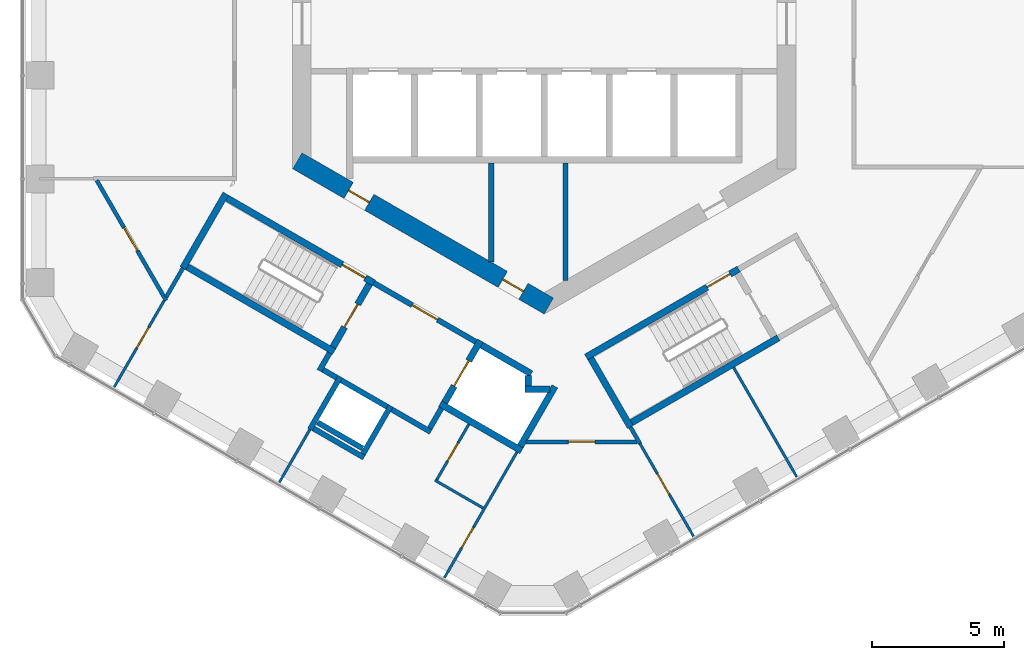
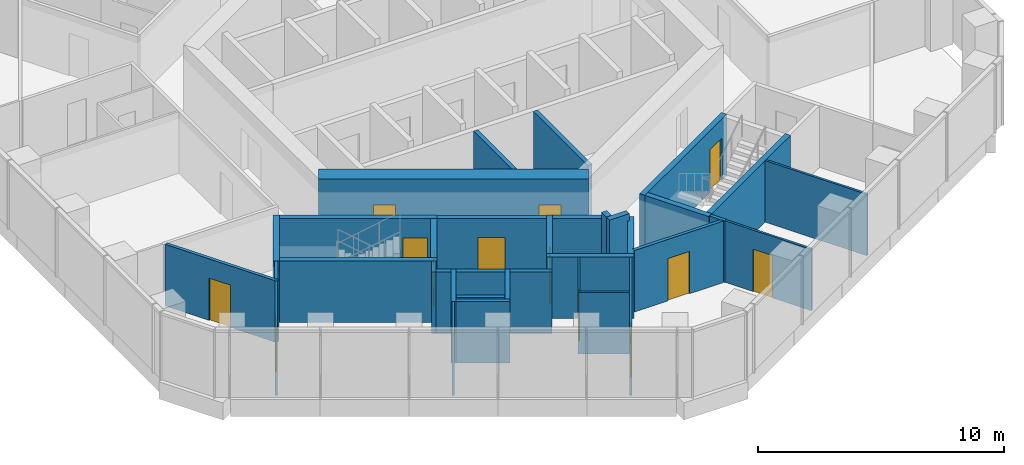
# One storey, part 13 of 19: 37 walls, 13 doors, 13 openings.
"""IFC4 building model written with IfcOpenShell, lengths in metres."""

import ifcopenshell
import ifcopenshell.guid

model = None  # the IFC model being written
_history = None  # IfcOwnerHistory: only IFC2X3 demands one
_inside = {}  # id of a spatial element -> (the spatial element, [elements in it])
_under = {}  # id of a project, library or spatial element -> (it, [spatial elements below it])
_declared = {}  # id of a project -> (the project, [libraries it declares])
_typed = {}  # id of a type object -> (the type object, [elements of that type])
_made_of = {}  # id of a material, layer set ... -> (it, [elements and type objects made of it])


def new_model(schema):
    """Start an empty IFC model of exactly this schema.

    Asked for "IFC4X3", IfcOpenShell would pick the latest addendum, in which some entities
    have other attributes; the version numbers below select the first issue.
    IFC2X3 requires an IfcOwnerHistory on every rooted entity: one is made here for all.
    """
    global model, _history
    if schema == "IFC4X3":
        model = ifcopenshell.file(schema_version=(4, 3, 0, 0))
    else:
        model = ifcopenshell.file(schema=schema)
    _inside.clear()
    _under.clear()
    _declared.clear()
    _typed.clear()
    _made_of.clear()
    _history = None
    if model.schema == "IFC2X3":
        org = make("IfcOrganization", Name="unknown")
        user = make(
            "IfcPersonAndOrganization",
            ThePerson=make("IfcPerson", FamilyName="unknown"),
            TheOrganization=org,
        )
        app = make(
            "IfcApplication",
            ApplicationDeveloper=org,
            Version="unknown",
            ApplicationFullName="unknown",
            ApplicationIdentifier="unknown",
        )
        _history = make(
            "IfcOwnerHistory",
            OwningUser=user,
            OwningApplication=app,
            ChangeAction="ADDED",
            CreationDate=0,
        )
    return model


def make(cls, **values):
    """One entity of the class cls with the attributes given. An attribute that is None is left unset."""
    return model.create_entity(
        cls, **{name: value for name, value in values.items() if value is not None}
    )


def rooted(cls, **values):
    """An entity with a GlobalId (a new one), such as an element, a storey or a relation."""
    return make(cls, GlobalId=ifcopenshell.guid.new(), OwnerHistory=_history, **values)


def si_unit(unit_type, name, prefix=None):
    """IfcSIUnit, for example si_unit("LENGTHUNIT", "METRE", prefix="MILLI")."""
    return make("IfcSIUnit", UnitType=unit_type, Prefix=prefix, Name=name)


def assignment(units):
    """IfcUnitAssignment: the units of a project."""
    return None if units is None else make("IfcUnitAssignment", Units=units)


def point(xyz):
    """IfcCartesianPoint."""
    return None if xyz is None else make("IfcCartesianPoint", Coordinates=xyz)


def direction(xyz):
    """IfcDirection."""
    return None if xyz is None else make("IfcDirection", DirectionRatios=xyz)


def frame(location, z_axis=None, x_axis=None):
    """IfcAxis2Placement3D, a coordinate frame: its origin and axes. An axis left out is left unset."""
    return make(
        "IfcAxis2Placement3D",
        Location=point(location),
        Axis=direction(z_axis),
        RefDirection=direction(x_axis),
    )


def frame_2d(location, x_axis=None):
    """IfcAxis2Placement2D, a coordinate frame in the plane: its origin and x axis."""
    return make(
        "IfcAxis2Placement2D", Location=point(location), RefDirection=direction(x_axis)
    )


def origin():
    """The frame at (0, 0, 0) with its axes left unset."""
    return frame((0.0, 0.0, 0.0))


def place(relative_to, where):
    """IfcLocalPlacement: puts the frame where relative to a parent placement (None: the world)."""
    return make(
        "IfcLocalPlacement", PlacementRelTo=relative_to, RelativePlacement=where
    )


def context(
    kind, dimensions, precision=None, world=None, true_north=None, identifier=None
):
    """IfcGeometricRepresentationContext, for example the 3D "Model" context."""
    return make(
        "IfcGeometricRepresentationContext",
        ContextIdentifier=identifier,
        ContextType=kind,
        CoordinateSpaceDimension=dimensions,
        Precision=precision,
        WorldCoordinateSystem=world,
        TrueNorth=true_north,
    )


def subcontext(parent, identifier, kind, view, scale=None):
    """IfcGeometricRepresentationSubContext, for example "Body" below "Model"."""
    return make(
        "IfcGeometricRepresentationSubContext",
        ContextIdentifier=identifier,
        ContextType=kind,
        ParentContext=parent,
        TargetScale=scale,
        TargetView=view,
    )


def project(units=None, contexts=None):
    """IfcProject with its units and contexts."""
    return rooted(
        "IfcProject",
        Name="project",
        RepresentationContexts=contexts,
        UnitsInContext=assignment(units),
    )


def spatial(cls, under=None, at=None, **own):
    """A site, building, storey or space (cls), placed at a placement, below another one or the project."""
    s = rooted(cls, ObjectPlacement=at, **own)
    if under is not None:
        _under.setdefault(under.id(), (under, []))[1].append(s)
    return s


def profile(cls, at=None, kind="AREA", **sizes):
    """A parametric profile (cls). Its sizes go by their IFC names, for example OverallWidth=200.0."""
    return make(cls, ProfileType=kind, Position=at, **sizes)


def rectangle(**sizes):
    """IfcRectangleProfileDef."""
    return profile("IfcRectangleProfileDef", **sizes)


def extrude(swept, where, along, depth):
    """IfcExtrudedAreaSolid: the profile swept, set in the frame where, extruded along a direction by depth."""
    return make(
        "IfcExtrudedAreaSolid",
        SweptArea=swept,
        Position=where,
        ExtrudedDirection=direction(along),
        Depth=depth,
    )


def shape(context_of_items, identifier, shape_type, items):
    """IfcShapeRepresentation: the items that make up one representation, for example the "Body"."""
    return make(
        "IfcShapeRepresentation",
        ContextOfItems=context_of_items,
        RepresentationIdentifier=identifier,
        RepresentationType=shape_type,
        Items=items,
    )


def material(Name=None, Category=None):
    """IfcMaterial."""
    return make("IfcMaterial", Name=Name, Category=Category)


def layer(
    of_material, thickness, ventilated=None, Name=None, Category=None, Priority=None
):
    """IfcMaterialLayer: one layer of a wall or slab, of a material (None: an air gap)."""
    return make(
        "IfcMaterialLayer",
        Material=of_material,
        LayerThickness=thickness,
        IsVentilated=ventilated,
        Name=Name,
        Category=Category,
        Priority=Priority,
    )


def layer_set(layers, Name=None):
    """IfcMaterialLayerSet."""
    return make("IfcMaterialLayerSet", MaterialLayers=layers, LayerSetName=Name)


def made_of(thing, what):
    """Note that an element or type object is made of a material, layer set ...; save() writes the relation."""
    if what is not None:
        _made_of.setdefault(what.id(), (what, []))[1].append(thing)
    return thing


def type_object(cls, material=None, **own):
    """A type object (cls), such as IfcWallType, which elements share."""
    return made_of(rooted(cls, **own), material)


def element(
    cls,
    number,
    at=None,
    inside=None,
    cuts=None,
    type_object=None,
    material=None,
    context=None,
    identifier="Body",
    shape_type=None,
    held_by="IfcProductDefinitionShape",
    body=None,
    shapes=None,
    **own,
):
    """One element of the class cls, such as IfcWall. Its Tag is "e" and its number.

    at: its placement. inside: the storey or other place that contains it. cuts: it is an
    opening in that element (IfcRelVoidsElement). A single representation is given by context,
    identifier, shape_type and body (its items); several are given by shapes. held_by: the class
    of the entity that holds the representations. save() writes the other relations.
    """
    e = rooted(cls, Tag="e%d" % number, ObjectPlacement=at, **own)
    if body is not None:
        shapes = [shape(context, identifier, shape_type, body)]
    if shapes is not None:
        e.Representation = make(held_by, Representations=shapes)
    if inside is not None:
        _inside.setdefault(inside.id(), (inside, []))[1].append(e)
    if cuts is not None:
        rooted(
            "IfcRelVoidsElement", RelatingBuildingElement=cuts, RelatedOpeningElement=e
        )
    if type_object is not None:
        _typed.setdefault(type_object.id(), (type_object, []))[1].append(e)
    return made_of(e, material)


def fill(opening, filler):
    """IfcRelFillsElement: the door or window that sits in an opening."""
    return rooted(
        "IfcRelFillsElement",
        RelatingOpeningElement=opening,
        RelatedBuildingElement=filler,
    )


def aggregate(whole, parts):
    """IfcRelAggregates: a whole, such as a stair, and the parts it consists of."""
    return rooted("IfcRelAggregates", RelatingObject=whole, RelatedObjects=parts)


def save(model, path):
    """Write the relations noted so far, then the file.

    IfcRelAggregates (storeys below a building ...), IfcRelContainedInSpatialStructure (elements
    in a storey), IfcRelDefinesByType, IfcRelAssociatesMaterial and IfcRelDeclares: one each for
    every whole, place, type object, material and project.
    """
    for whole, parts in _under.values():
        aggregate(whole, parts)
    for where, things in _inside.values():
        rooted(
            "IfcRelContainedInSpatialStructure",
            RelatedElements=things,
            RelatingStructure=where,
        )
    for kind, things in _typed.values():
        rooted("IfcRelDefinesByType", RelatedObjects=things, RelatingType=kind)
    for what, things in _made_of.values():
        rooted("IfcRelAssociatesMaterial", RelatedObjects=things, RelatingMaterial=what)
    for by, libraries in _declared.values():
        rooted("IfcRelDeclares", RelatingContext=by, RelatedDefinitions=libraries)
    model.write(path)


model = new_model("IFC4")

# Units and contexts
model_context = context("Model", 3, precision=1e-05, world=origin(), true_north=direction((0.0, 1.0)))
body_context = subcontext(model_context, "Body", "Model", "MODEL_VIEW")
ifc_project = project(units=[si_unit("LENGTHUNIT", "METRE"), si_unit("AREAUNIT", "SQUARE_METRE"), si_unit("VOLUMEUNIT", "CUBIC_METRE"), si_unit("PLANEANGLEUNIT", "RADIAN"), si_unit("MASSUNIT", "GRAM", prefix="KILO")], contexts=[model_context])

# Site, building, storey
site_placement = place(None, origin())
site = spatial("IfcSite", under=ifc_project, at=site_placement, CompositionType="ELEMENT")
building_placement = place(site_placement, origin())
building = spatial("IfcBuilding", under=site, at=building_placement, Name="Ayvan Gate Tower", CompositionType="ELEMENT")
storey_placement = place(building_placement, frame((0.0, 0.0, 106.89990234375)))
storey = spatial("IfcBuildingStorey", under=building, at=storey_placement, Name="L28", CompositionType="ELEMENT", Elevation=106.89990234375)

# Wall, openings, doors
ifc_material_1 = material(Name="Concrete C70/85", Category="concrete")
ifc_layer_1 = layer(ifc_material_1, 0.699951171875)
ifc_layer_set_1 = layer_set([ifc_layer_1], Name="Concrete C70/85")
wall_type_1 = type_object("IfcWallType", Name="Core wall 700 C70/85", PredefinedType="SHEAR", material=ifc_layer_set_1)
wall_1_placement = place(storey_placement, frame((-9.324951171875, -5.181640625, 0.0), z_axis=(0.0, 0.0, 1.0), x_axis=(0.866023993627, -0.500002442456, 0.0)))
wall_1 = element("IfcWall", 1, at=wall_1_placement, inside=storey, type_object=wall_type_1, Name="CORE-L28-4", PredefinedType="SHEAR", context=body_context, shape_type="SweptSolid", body=[
    extrude(rectangle(XDim=10.9697265625, YDim=0.699951171875, at=frame_2d((5.48486328125, 0.0))), origin(), (0.0, 0.0, 1.0), 3.400146484375),
])
opening_1_placement = place(wall_1_placement, frame((2.2392578125, 0.0, 0.0)))
opening_1 = element("IfcOpeningElement", 2, at=opening_1_placement, cuts=wall_1, Name="Opening L28-D42", PredefinedType="OPENING", context=body_context, shape_type="SweptSolid", body=[
    extrude(rectangle(XDim=0.89990234375, YDim=2.10009765625, at=frame_2d((0.449951171875, 1.050048828125))), frame((0.0, 0.35986328125, 0.0), z_axis=(0.0, -1.0, 0.0), x_axis=(1.0, 0.0, 0.0)), (0.0, 0.0, 1.0), 0.719970703125),
])
opening_2_placement = place(wall_1_placement, frame((8.960205078125, 0.0, 0.0)))
opening_2 = element("IfcOpeningElement", 3, at=opening_2_placement, cuts=wall_1, Name="Opening L28-D43", PredefinedType="OPENING", context=body_context, shape_type="SweptSolid", body=[
    extrude(rectangle(XDim=0.89990234375, YDim=2.10009765625, at=frame_2d((0.449951171875, 1.050048828125))), frame((0.0, 0.35986328125, 0.0), z_axis=(0.0, -1.0, 0.0), x_axis=(1.0, 0.0, 0.0)), (0.0, 0.0, 1.0), 0.719970703125),
])
ifc_material_2 = material(Name="Timber door leaf", Category="wood")
door_type_1 = type_object("IfcDoorType", Name="DT-900", OperationType="NOTDEFINED", PredefinedType="DOOR", material=ifc_material_2)
door_1_placement = place(opening_1_placement, origin())
door_1 = element("IfcDoor", 4, at=door_1_placement, inside=storey, type_object=door_type_1, Name="CD-L28-42", OperationType="SINGLE_SWING_RIGHT", OverallHeight=2.10009765625, OverallWidth=0.89990234375, PredefinedType="DOOR", context=body_context, shape_type="SweptSolid", body=[
    extrude(rectangle(XDim=0.89990234375, YDim=2.10009765625, at=frame_2d((0.449951171875, 1.050048828125))), frame((0.0, 0.02490234375, 0.0), z_axis=(0.0, -1.0, 0.0), x_axis=(1.0, 0.0, 0.0)), (0.0, 0.0, 1.0), 0.050048828125),
])
fill(opening_1, door_1)
door_2_placement = place(opening_2_placement, origin())
door_2 = element("IfcDoor", 5, at=door_2_placement, inside=storey, type_object=door_type_1, Name="CD-L28-43", OperationType="SINGLE_SWING_LEFT", OverallHeight=2.10009765625, OverallWidth=0.89990234375, PredefinedType="DOOR", context=body_context, shape_type="SweptSolid", body=[
    extrude(rectangle(XDim=0.89990234375, YDim=2.10009765625, at=frame_2d((0.449951171875, 1.050048828125))), frame((0.0, 0.02490234375, 0.0), z_axis=(0.0, -1.0, 0.0), x_axis=(1.0, 0.0, 0.0)), (0.0, 0.0, 1.0), 0.050048828125),
])
fill(opening_2, door_2)

# Wall, opening, door
ifc_material_3 = material(Name="Plasterboard on steel stud", Category="steel")
ifc_layer_2 = layer(ifc_material_3, 0.14990234375)
ifc_layer_set_2 = layer_set([ifc_layer_2], Name="Plasterboard on steel stud")
wall_type_2 = type_object("IfcWallType", Name="WT-CORR-150", PredefinedType="PARTITIONING", material=ifc_layer_set_2)
wall_2_placement = place(storey_placement, frame((-14.278564453125, -10.4609375, 0.0), z_axis=(0.0, 0.0, 1.0), x_axis=(-0.49998979122, 0.866031297746, 0.0)))
wall_2 = element("IfcWall", 6, at=wall_2_placement, inside=storey, type_object=wall_type_2, Name="IW-L28-005", PredefinedType="PARTITIONING", context=body_context, shape_type="SweptSolid", body=[
    extrude(rectangle(XDim=5.24365234375, YDim=0.14990234375, at=frame_2d((2.621826171875, 0.0))), origin(), (0.0, 0.0, 1.0), 3.050048828125),
])
opening_3_placement = place(wall_2_placement, frame((2.1767578125, 0.0, 0.0)))
opening_3 = element("IfcOpeningElement", 7, at=opening_3_placement, cuts=wall_2, Name="Opening L28-D27", PredefinedType="OPENING", context=body_context, shape_type="SweptSolid", body=[
    extrude(rectangle(XDim=1.0, YDim=2.10009765625, at=frame_2d((0.5, 1.050048828125))), frame((0.0, 0.0849609375, 0.0), z_axis=(0.0, -1.0, 0.0), x_axis=(1.0, 0.0, 0.0)), (0.0, 0.0, 1.0), 0.169921875),
])
door_type_2 = type_object("IfcDoorType", Name="DT-1000", OperationType="NOTDEFINED", PredefinedType="DOOR", material=ifc_material_2)
door_3_placement = place(opening_3_placement, origin())
door_3 = element("IfcDoor", 8, at=door_3_placement, inside=storey, type_object=door_type_2, Name="ID-L28-027", OperationType="SINGLE_SWING_LEFT", OverallHeight=2.10009765625, OverallWidth=1.0, PredefinedType="DOOR", context=body_context, shape_type="SweptSolid", body=[
    extrude(rectangle(XDim=1.0, YDim=2.10009765625, at=frame_2d((0.5, 1.050048828125))), frame((0.0, 0.02490234375, 0.0), z_axis=(0.0, -1.0, 0.0), x_axis=(1.0, 0.0, 0.0)), (0.0, 0.0, 1.0), 0.050048828125),
])
fill(opening_3, door_3)

# Walls
wall_3_placement = place(storey_placement, frame((-13.647705078125, -9.23876953125, 0.0), z_axis=(0.0, 0.0, 1.0), x_axis=(-0.50013570633, -0.86594703952, 0.0)))
element("IfcWall", 9, at=wall_3_placement, inside=storey, type_object=wall_type_2, Name="IW-L28-010", PredefinedType="PARTITIONING", context=body_context, shape_type="SweptSolid", body=[
    extrude(rectangle(XDim=1.261474609375, YDim=0.14990234375, at=frame_2d((0.630859375, 0.0))), origin(), (0.0, 0.0, 1.0), 3.050048828125),
])
wall_4_placement = place(storey_placement, frame((3.255615234375, -15.23876953125, 0.0), z_axis=(0.0, 0.0, 1.0), x_axis=(0.499830307316, -0.866123353737, 0.0)))
element("IfcWall", 10, at=wall_4_placement, inside=storey, type_object=wall_type_2, Name="IW-L28-074", PredefinedType="PARTITIONING", context=body_context, shape_type="SweptSolid", body=[
    extrude(rectangle(XDim=0.718505859375, YDim=0.14990234375, at=frame_2d((0.359375, 0.0))), origin(), (0.0, 0.0, 1.0), 3.050048828125),
])

# Wall, opening, door
wall_5_placement = place(storey_placement, frame((3.502197265625, -15.7958984375, 0.0), z_axis=(0.0, 0.0, 1.0), x_axis=(-1.0, 0.0, 0.0)))
wall_5 = element("IfcWall", 11, at=wall_5_placement, inside=storey, type_object=wall_type_2, Name="IW-L28-077", PredefinedType="PARTITIONING", context=body_context, shape_type="SweptSolid", body=[
    extrude(rectangle(XDim=4.18310546875, YDim=0.14990234375, at=frame_2d((2.091552734375, 0.0))), origin(), (0.0, 0.0, 1.0), 3.050048828125),
])
opening_4_placement = place(wall_5_placement, frame((1.591796875, 0.0, 0.0)))
opening_4 = element("IfcOpeningElement", 12, at=opening_4_placement, cuts=wall_5, Name="Opening L28-D29", PredefinedType="OPENING", context=body_context, shape_type="SweptSolid", body=[
    extrude(rectangle(XDim=1.0, YDim=2.10009765625, at=frame_2d((0.5, 1.050048828125))), frame((0.0, 0.0849609375, 0.0), z_axis=(0.0, -1.0, 0.0), x_axis=(1.0, 0.0, 0.0)), (0.0, 0.0, 1.0), 0.169921875),
])
door_4_placement = place(opening_4_placement, origin())
door_4 = element("IfcDoor", 13, at=door_4_placement, inside=storey, type_object=door_type_2, Name="ID-L28-029", OperationType="SINGLE_SWING_LEFT", OverallHeight=2.10009765625, OverallWidth=1.0, PredefinedType="DOOR", context=body_context, shape_type="SweptSolid", body=[
    extrude(rectangle(XDim=1.0, YDim=2.10009765625, at=frame_2d((0.5, 1.050048828125))), frame((0.0, 0.02490234375, 0.0), z_axis=(0.0, -1.0, 0.0), x_axis=(1.0, 0.0, 0.0)), (0.0, 0.0, 1.0), 0.050048828125),
])
fill(opening_4, door_4)

ifc_layer_3 = layer(ifc_material_3, 0.10009765625)
ifc_layer_set_3 = layer_set([ifc_layer_3], Name="Plasterboard on steel stud")
wall_type_3 = type_object("IfcWallType", Name="WT-PART-100", PredefinedType="PARTITIONING", material=ifc_layer_set_3)
wall_6_placement = place(storey_placement, frame((-14.353515625, -10.4609375, 0.0), z_axis=(0.0, 0.0, 1.0), x_axis=(-0.499997093526, -0.866027081832, 0.0)))
wall_6 = element("IfcWall", 14, at=wall_6_placement, inside=storey, type_object=wall_type_3, Name="IW-L28-006", PredefinedType="PARTITIONING", context=body_context, shape_type="SweptSolid", body=[
    extrude(rectangle(XDim=3.7705078125, YDim=0.10009765625, at=frame_2d((1.88525390625, 0.0))), origin(), (0.0, 0.0, 1.0), 3.050048828125),
])
opening_5_placement = place(wall_6_placement, frame((1.1748046875, 0.0, 0.0)))
opening_5 = element("IfcOpeningElement", 15, at=opening_5_placement, cuts=wall_6, Name="Opening L28-D28", PredefinedType="OPENING", context=body_context, shape_type="SweptSolid", body=[
    extrude(rectangle(XDim=0.89990234375, YDim=2.10009765625, at=frame_2d((0.449951171875, 1.050048828125))), frame((0.0, 0.06005859375, 0.0), z_axis=(0.0, -1.0, 0.0), x_axis=(1.0, 0.0, 0.0)), (0.0, 0.0, 1.0), 0.1201171875),
])
door_5_placement = place(opening_5_placement, origin())
door_5 = element("IfcDoor", 16, at=door_5_placement, inside=storey, type_object=door_type_1, Name="ID-L28-028", OperationType="SINGLE_SWING_RIGHT", OverallHeight=2.10009765625, OverallWidth=0.89990234375, PredefinedType="DOOR", context=body_context, shape_type="SweptSolid", body=[
    extrude(rectangle(XDim=0.89990234375, YDim=2.10009765625, at=frame_2d((0.449951171875, 1.050048828125))), frame((0.0, 0.02490234375, 0.0), z_axis=(0.0, -1.0, 0.0), x_axis=(1.0, 0.0, 0.0)), (0.0, 0.0, 1.0), 0.050048828125),
])
fill(opening_5, door_5)

# Walls
wall_7_placement = place(storey_placement, frame((-8.85009765625, -15.32861328125, 0.0), z_axis=(0.0, 0.0, 1.0), x_axis=(-0.500009533716, -0.866019899421, 0.0)))
element("IfcWall", 17, at=wall_7_placement, inside=storey, type_object=wall_type_3, Name="IW-L28-020", PredefinedType="PARTITIONING", context=body_context, shape_type="SweptSolid", body=[
    extrude(rectangle(XDim=2.306640625, YDim=0.10009765625, at=frame_2d((1.1533203125, 0.0))), origin(), (0.0, 0.0, 1.0), 3.050048828125),
])
wall_8_placement = place(storey_placement, frame((-4.126708984375, -17.247314453125, 0.0), z_axis=(0.0, 0.0, 1.0), x_axis=(0.866038466041, -0.499977374825, 0.0)))
element("IfcWall", 18, at=wall_8_placement, inside=storey, type_object=wall_type_3, Name="IW-L28-041", PredefinedType="PARTITIONING", context=body_context, shape_type="SweptSolid", body=[
    extrude(rectangle(XDim=2.10009765625, YDim=0.10009765625, at=frame_2d((1.050048828125, 0.0))), origin(), (0.0, 0.0, 1.0), 3.050048828125),
])

# Wall, opening, door
wall_9_placement = place(storey_placement, frame((-3.767822265625, -20.92626953125, 0.0), z_axis=(0.0, 0.0, 1.0), x_axis=(0.499980760091, 0.866036511666, 0.0)))
wall_9 = element("IfcWall", 19, at=wall_9_placement, inside=storey, type_object=wall_type_3, Name="IW-L28-043", PredefinedType="PARTITIONING", context=body_context, shape_type="SweptSolid", body=[
    extrude(rectangle(XDim=5.481689453125, YDim=0.10009765625, at=frame_2d((2.74072265625, 0.0))), origin(), (0.0, 0.0, 1.0), 3.050048828125),
])
opening_6_placement = place(wall_9_placement, frame((1.298828125, 0.0, 0.0)))
opening_6 = element("IfcOpeningElement", 20, at=opening_6_placement, cuts=wall_9, Name="Opening L28-D30", PredefinedType="OPENING", context=body_context, shape_type="SweptSolid", body=[
    extrude(rectangle(XDim=0.89990234375, YDim=2.10009765625, at=frame_2d((0.449951171875, 1.050048828125))), frame((0.0, 0.06005859375, 0.0), z_axis=(0.0, -1.0, 0.0), x_axis=(1.0, 0.0, 0.0)), (0.0, 0.0, 1.0), 0.1201171875),
])
door_6_placement = place(opening_6_placement, origin())
door_6 = element("IfcDoor", 21, at=door_6_placement, inside=storey, type_object=door_type_1, Name="ID-L28-030", OperationType="SINGLE_SWING_RIGHT", OverallHeight=2.10009765625, OverallWidth=0.89990234375, PredefinedType="DOOR", context=body_context, shape_type="SweptSolid", body=[
    extrude(rectangle(XDim=0.89990234375, YDim=2.10009765625, at=frame_2d((0.449951171875, 1.050048828125))), frame((0.0, 0.02490234375, 0.0), z_axis=(0.0, -1.0, 0.0), x_axis=(1.0, 0.0, 0.0)), (0.0, 0.0, 1.0), 0.050048828125),
])
fill(opening_6, door_6)

wall_10_placement = place(storey_placement, frame((-2.845703125, -15.12890625, 0.0), z_axis=(0.0, 0.0, 1.0), x_axis=(-0.500047793048, -0.865997808697, 0.0)))
wall_10 = element("IfcWall", 22, at=wall_10_placement, inside=storey, type_object=wall_type_3, Name="IW-L28-048", PredefinedType="PARTITIONING", context=body_context, shape_type="SweptSolid", body=[
    extrude(rectangle(XDim=2.425048828125, YDim=0.10009765625, at=frame_2d((1.21240234375, 0.0))), origin(), (0.0, 0.0, 1.0), 3.050048828125),
])
opening_7_placement = place(wall_10_placement, frame((0.8125, 0.0, 0.0)))
opening_7 = element("IfcOpeningElement", 23, at=opening_7_placement, cuts=wall_10, Name="Opening L28-D31", PredefinedType="OPENING", context=body_context, shape_type="SweptSolid", body=[
    extrude(rectangle(XDim=0.800048828125, YDim=2.10009765625, at=frame_2d((0.39990234375, 1.050048828125))), frame((0.0, 0.06005859375, 0.0), z_axis=(0.0, -1.0, 0.0), x_axis=(1.0, 0.0, 0.0)), (0.0, 0.0, 1.0), 0.1201171875),
])
door_type_3 = type_object("IfcDoorType", Name="DT-800", OperationType="NOTDEFINED", PredefinedType="DOOR", material=ifc_material_2)
door_7_placement = place(opening_7_placement, origin())
door_7 = element("IfcDoor", 24, at=door_7_placement, inside=storey, type_object=door_type_3, Name="ID-L28-031", OperationType="SINGLE_SWING_LEFT", OverallHeight=2.10009765625, OverallWidth=0.800048828125, PredefinedType="DOOR", context=body_context, shape_type="SweptSolid", body=[
    extrude(rectangle(XDim=0.800048828125, YDim=2.10009765625, at=frame_2d((0.39990234375, 1.050048828125))), frame((0.0, 0.02490234375, 0.0), z_axis=(0.0, -1.0, 0.0), x_axis=(1.0, 0.0, 0.0)), (0.0, 0.0, 1.0), 0.050048828125),
])
fill(opening_7, door_7)

wall_11_placement = place(storey_placement, frame((3.61474609375, -15.861083984375, 0.0), z_axis=(0.0, 0.0, 1.0), x_axis=(0.500018313359, -0.866014830303, 0.0)))
wall_11 = element("IfcWall", 25, at=wall_11_placement, inside=storey, type_object=wall_type_3, Name="IW-L28-078", PredefinedType="PARTITIONING", context=body_context, shape_type="SweptSolid", body=[
    extrude(rectangle(XDim=4.047607421875, YDim=0.10009765625, at=frame_2d((2.02392578125, 0.0))), origin(), (0.0, 0.0, 1.0), 3.050048828125),
])
opening_8_placement = place(wall_11_placement, frame((1.3134765625, 0.0, 0.0)))
opening_8 = element("IfcOpeningElement", 26, at=opening_8_placement, cuts=wall_11, Name="Opening L28-D32", PredefinedType="OPENING", context=body_context, shape_type="SweptSolid", body=[
    extrude(rectangle(XDim=0.89990234375, YDim=2.10009765625, at=frame_2d((0.449951171875, 1.050048828125))), frame((0.0, 0.06005859375, 0.0), z_axis=(0.0, -1.0, 0.0), x_axis=(1.0, 0.0, 0.0)), (0.0, 0.0, 1.0), 0.1201171875),
])
door_8_placement = place(opening_8_placement, origin())
door_8 = element("IfcDoor", 27, at=door_8_placement, inside=storey, type_object=door_type_1, Name="ID-L28-032", OperationType="SINGLE_SWING_RIGHT", OverallHeight=2.10009765625, OverallWidth=0.89990234375, PredefinedType="DOOR", context=body_context, shape_type="SweptSolid", body=[
    extrude(rectangle(XDim=0.89990234375, YDim=2.10009765625, at=frame_2d((0.449951171875, 1.050048828125))), frame((0.0, 0.02490234375, 0.0), z_axis=(0.0, -1.0, 0.0), x_axis=(1.0, 0.0, 0.0)), (0.0, 0.0, 1.0), 0.050048828125),
])
fill(opening_8, door_8)

# Walls
wall_12_placement = place(storey_placement, frame((7.152587890625, -12.98876953125, 0.0), z_axis=(0.0, 0.0, 1.0), x_axis=(0.500028389435, -0.866009012516, 0.0)))
element("IfcWall", 28, at=wall_12_placement, inside=storey, type_object=wall_type_3, Name="IW-L28-085", PredefinedType="PARTITIONING", context=body_context, shape_type="SweptSolid", body=[
    extrude(rectangle(XDim=4.766357421875, YDim=0.10009765625, at=frame_2d((2.38330078125, 0.0))), origin(), (0.0, 0.0, 1.0), 3.050048828125),
])
ifc_layer_4 = layer(ifc_material_3, 0.199951171875)
ifc_layer_set_4 = layer_set([ifc_layer_4], Name="Plasterboard on steel stud")
wall_type_4 = type_object("IfcWallType", Name="WT-PLUMB-200", PredefinedType="PLUMBINGWALL", material=ifc_layer_set_4)
wall_13_placement = place(storey_placement, frame((-8.85009765625, -15.32861328125, 0.0), z_axis=(0.0, 0.0, 1.0), x_axis=(0.500077740698, 0.865980515519, 0.0)))
element("IfcWall", 29, at=wall_13_placement, inside=storey, type_object=wall_type_4, Name="IW-L28-018", PredefinedType="PLUMBINGWALL", context=body_context, shape_type="SweptSolid", body=[
    extrude(rectangle(XDim=2.300048828125, YDim=0.199951171875, at=frame_2d((1.14990234375, 0.0))), origin(), (0.0, 0.0, 1.0), 3.050048828125),
])
wall_14_placement = place(storey_placement, frame((-6.80810546875, -16.39208984375, 0.0), z_axis=(0.0, 0.0, 1.0), x_axis=(-0.866008176907, 0.50002983664, 0.0)))
element("IfcWall", 30, at=wall_14_placement, inside=storey, type_object=wall_type_4, Name="IW-L28-031", PredefinedType="PLUMBINGWALL", context=body_context, shape_type="SweptSolid", body=[
    extrude(rectangle(XDim=2.199951171875, YDim=0.199951171875, at=frame_2d((1.10009765625, 0.0))), origin(), (0.0, 0.0, 1.0), 3.050048828125),
])
wall_15_placement = place(storey_placement, frame((-5.794677734375, -14.436767578125, 0.0), z_axis=(0.0, 0.0, 1.0), x_axis=(-0.500027713859, -0.866009402589, 0.0)))
element("IfcWall", 31, at=wall_15_placement, inside=storey, type_object=wall_type_4, Name="IW-L28-034", PredefinedType="PLUMBINGWALL", context=body_context, shape_type="SweptSolid", body=[
    extrude(rectangle(XDim=2.10009765625, YDim=0.199951171875, at=frame_2d((1.050048828125, 0.0))), origin(), (0.0, 0.0, 1.0), 3.050048828125),
])
wall_16_placement = place(storey_placement, frame((-5.931396484375, -14.473388671875, 0.0), z_axis=(0.0, 0.0, 1.0), x_axis=(-0.866041268327, 0.499972520799, 0.0)))
element("IfcWall", 32, at=wall_16_placement, inside=storey, type_object=wall_type_4, Name="IW-L28-035", PredefinedType="PLUMBINGWALL", context=body_context, shape_type="SweptSolid", body=[
    extrude(rectangle(XDim=2.0, YDim=0.199951171875, at=frame_2d((1.0, 0.0))), origin(), (0.0, 0.0, 1.0), 3.050048828125),
])
wall_17_placement = place(storey_placement, frame((-6.85986328125, -16.04150390625, 0.0), z_axis=(0.0, 0.0, 1.0), x_axis=(-0.866042469362, 0.499970440388, 0.0)))
element("IfcWall", 33, at=wall_17_placement, inside=storey, type_object=wall_type_4, Name="IW-L28-116", PredefinedType="PLUMBINGWALL", context=body_context, shape_type="SweptSolid", body=[
    extrude(rectangle(XDim=1.9599609375, YDim=0.199951171875, at=frame_2d((0.97998046875, 0.0))), origin(), (0.0, 0.0, 1.0), 3.050048828125),
])
ifc_layer_5 = layer(ifc_material_3, 0.199951171875)
ifc_layer_set_5 = layer_set([ifc_layer_5], Name="Plasterboard on steel stud")
wall_type_5 = type_object("IfcWallType", Name="WT-RATED-200", PredefinedType="PARTITIONING", material=ifc_layer_set_5)
wall_18_placement = place(storey_placement, frame((-8.492919921875, -13.110107421875, 0.0), z_axis=(0.0, 0.0, 1.0), x_axis=(0.500067724834, 0.865986299303, 0.0)))
element("IfcWall", 34, at=wall_18_placement, inside=storey, type_object=wall_type_5, Name="IW-L28-023", PredefinedType="PARTITIONING", context=body_context, shape_type="SweptSolid", body=[
    extrude(rectangle(XDim=0.775390625, YDim=0.199951171875, at=frame_2d((0.3876953125, 0.0))), origin(), (0.0, 0.0, 1.0), 3.050048828125),
])
wall_19_placement = place(storey_placement, frame((-7.83642578125, -13.373291015625, 0.0), z_axis=(0.0, 0.0, 1.0), x_axis=(-0.866232998003, 0.499640263761, 0.0)))
element("IfcWall", 35, at=wall_19_placement, inside=storey, type_object=wall_type_5, Name="IW-L28-025", PredefinedType="PARTITIONING", context=body_context, shape_type="SweptSolid", body=[
    extrude(rectangle(XDim=0.60009765625, YDim=0.199951171875, at=frame_2d((0.300048828125, 0.0))), origin(), (0.0, 0.0, 1.0), 3.050048828125),
])

# Wall, opening, door
wall_20_placement = place(storey_placement, frame((-6.4345703125, -9.794921875, 0.0), z_axis=(0.0, 0.0, 1.0), x_axis=(0.866012907634, -0.500021643343, 0.0)))
wall_20 = element("IfcWall", 36, at=wall_20_placement, inside=storey, type_object=wall_type_5, Name="IW-L28-033", PredefinedType="PARTITIONING", context=body_context, shape_type="SweptSolid", body=[
    extrude(rectangle(XDim=4.449951171875, YDim=0.199951171875, at=frame_2d((2.22509765625, 0.0))), origin(), (0.0, 0.0, 1.0), 3.050048828125),
])
opening_9_placement = place(wall_20_placement, frame((1.675048828125, 0.0, 0.0)))
opening_9 = element("IfcOpeningElement", 37, at=opening_9_placement, cuts=wall_20, Name="Opening L28-D12", PredefinedType="OPENING", context=body_context, shape_type="SweptSolid", body=[
    extrude(rectangle(XDim=1.10009765625, YDim=2.10009765625, at=frame_2d((0.550048828125, 1.050048828125))), frame((0.0, 0.10986328125, 0.0), z_axis=(0.0, -1.0, 0.0), x_axis=(1.0, 0.0, 0.0)), (0.0, 0.0, 1.0), 0.219970703125),
])
door_type_4 = type_object("IfcDoorType", Name="DT-1100", OperationType="NOTDEFINED", PredefinedType="DOOR", material=ifc_material_2)
door_9_placement = place(opening_9_placement, origin())
door_9 = element("IfcDoor", 38, at=door_9_placement, inside=storey, type_object=door_type_4, Name="ID-L28-012", OperationType="SINGLE_SWING_RIGHT", OverallHeight=2.10009765625, OverallWidth=1.10009765625, PredefinedType="DOOR", context=body_context, shape_type="SweptSolid", body=[
    extrude(rectangle(XDim=1.10009765625, YDim=2.10009765625, at=frame_2d((0.550048828125, 1.050048828125))), frame((0.0, 0.02490234375, 0.0), z_axis=(0.0, -1.0, 0.0), x_axis=(1.0, 0.0, 0.0)), (0.0, 0.0, 1.0), 0.050048828125),
])
fill(opening_9, door_9)

# Walls
wall_21_placement = place(storey_placement, frame((-4.285888671875, -15.42333984375, 0.0), z_axis=(0.0, 0.0, 1.0), x_axis=(-0.866025371046, 0.500000056704, 0.0)))
element("IfcWall", 39, at=wall_21_placement, inside=storey, type_object=wall_type_5, Name="IW-L28-040", PredefinedType="PARTITIONING", context=body_context, shape_type="SweptSolid", body=[
    extrude(rectangle(XDim=1.7001953125, YDim=0.199951171875, at=frame_2d((0.85009765625, 0.0))), origin(), (0.0, 0.0, 1.0), 3.050048828125),
])
wall_22_placement = place(storey_placement, frame((-3.885009765625, -14.52880859375, 0.0), z_axis=(0.0, 0.0, 1.0), x_axis=(-0.499859285417, -0.866106630146, 0.0)))
element("IfcWall", 40, at=wall_22_placement, inside=storey, type_object=wall_type_5, Name="IW-L28-042", PredefinedType="PARTITIONING", context=body_context, shape_type="SweptSolid", body=[
    extrude(rectangle(XDim=0.875244140625, YDim=0.199951171875, at=frame_2d((0.4375, 0.0))), origin(), (0.0, 0.0, 1.0), 3.050048828125),
])
wall_23_placement = place(storey_placement, frame((-2.0, -5.27490234375, 0.0), z_axis=(0.0, 0.0, 1.0), x_axis=(0.0, -1.0, 0.0)))
element("IfcWall", 41, at=wall_23_placement, inside=storey, type_object=wall_type_5, Name="IW-L28-054", PredefinedType="PARTITIONING", context=body_context, shape_type="SweptSolid", body=[
    extrude(rectangle(XDim=3.731689453125, YDim=0.199951171875, at=frame_2d((1.86572265625, 0.0))), origin(), (0.0, 0.0, 1.0), 3.050048828125),
])
wall_24_placement = place(storey_placement, frame((0.800048828125, -5.27490234375, 0.0), z_axis=(0.0, 0.0, 1.0), x_axis=(0.0, -1.0, 0.0)))
element("IfcWall", 42, at=wall_24_placement, inside=storey, type_object=wall_type_5, Name="IW-L28-065", PredefinedType="PARTITIONING", context=body_context, shape_type="SweptSolid", body=[
    extrude(rectangle(XDim=4.424560546875, YDim=0.199951171875, at=frame_2d((2.21240234375, 0.0))), origin(), (0.0, 0.0, 1.0), 3.050048828125),
])
ifc_material_4 = material(Name="Concrete C50/60", Category="concrete")
ifc_layer_6 = layer(ifc_material_4, 0.25)
ifc_layer_set_6 = layer_set([ifc_layer_6], Name="Concrete C50/60")
wall_type_6 = type_object("IfcWallType", Name="WT-RC-250", PredefinedType="SHEAR", material=ifc_layer_set_6)
wall_25_placement = place(storey_placement, frame((-13.64794921875, -9.23876953125, 0.0), z_axis=(0.0, 0.0, 1.0), x_axis=(0.500017246033, 0.866015446554, 0.0)))
element("IfcWall", 43, at=wall_25_placement, inside=storey, type_object=wall_type_6, Name="IW-L28-009", PredefinedType="SHEAR", context=body_context, shape_type="SweptSolid", body=[
    extrude(rectangle(XDim=3.25, YDim=0.25, at=frame_2d((1.625, 0.0))), origin(), (0.0, 0.0, 1.0), 3.050048828125),
])

# Wall, opening, door
wall_26_placement = place(storey_placement, frame((-11.97705078125, -6.594970703125, 0.0), z_axis=(0.0, 0.0, 1.0), x_axis=(0.866025499775, -0.499999833739, 0.0)))
wall_26 = element("IfcWall", 44, at=wall_26_placement, inside=storey, type_object=wall_type_6, Name="IW-L28-012", PredefinedType="SHEAR", context=body_context, shape_type="SweptSolid", body=[
    extrude(rectangle(XDim=6.39990234375, YDim=0.25, at=frame_2d((3.199951171875, 0.0))), origin(), (0.0, 0.0, 1.0), 3.050048828125),
])
opening_10_placement = place(wall_26_placement, frame((5.02490234375, 0.0, 0.0)))
opening_10 = element("IfcOpeningElement", 45, at=opening_10_placement, cuts=wall_26, Name="Opening L28-D10", PredefinedType="OPENING", context=body_context, shape_type="SweptSolid", body=[
    extrude(rectangle(XDim=1.0, YDim=2.10009765625, at=frame_2d((0.5, 1.050048828125))), frame((0.0, 0.135009765625, 0.0), z_axis=(0.0, -1.0, 0.0), x_axis=(1.0, 0.0, 0.0)), (0.0, 0.0, 1.0), 0.27001953125),
])
door_10_placement = place(opening_10_placement, origin())
door_10 = element("IfcDoor", 46, at=door_10_placement, inside=storey, type_object=door_type_2, Name="ID-L28-010", OperationType="SINGLE_SWING_RIGHT", OverallHeight=2.10009765625, OverallWidth=1.0, PredefinedType="DOOR", context=body_context, shape_type="SweptSolid", body=[
    extrude(rectangle(XDim=1.0, YDim=2.10009765625, at=frame_2d((0.5, 1.050048828125))), frame((0.0, 0.02490234375, 0.0), z_axis=(0.0, -1.0, 0.0), x_axis=(1.0, 0.0, 0.0)), (0.0, 0.0, 1.0), 0.050048828125),
])
fill(opening_10, door_10)

# Wall
wall_27_placement = place(storey_placement, frame((-7.9345703125, -12.39306640625, 0.0), z_axis=(0.0, 0.0, 1.0), x_axis=(-0.866025499775, 0.499999833739, 0.0)))
element("IfcWall", 47, at=wall_27_placement, inside=storey, type_object=wall_type_6, Name="IW-L28-024", PredefinedType="SHEAR", context=body_context, shape_type="SweptSolid", body=[
    extrude(rectangle(XDim=6.39990234375, YDim=0.25, at=frame_2d((3.199951171875, 0.0))), origin(), (0.0, 0.0, 1.0), 3.050048828125),
])

# Wall, opening, door
wall_28_placement = place(storey_placement, frame((-6.605224609375, -9.8408203125, 0.0), z_axis=(0.0, 0.0, 1.0), x_axis=(-0.499996545922, -0.866027397988, 0.0)))
wall_28 = element("IfcWall", 48, at=wall_28_placement, inside=storey, type_object=wall_type_6, Name="IW-L28-032", PredefinedType="SHEAR", context=body_context, shape_type="SweptSolid", body=[
    extrude(rectangle(XDim=2.75, YDim=0.25, at=frame_2d((1.375, 0.0))), origin(), (0.0, 0.0, 1.0), 3.050048828125),
])
opening_11_placement = place(wall_28_placement, frame((0.875, 0.0, 0.0)))
opening_11 = element("IfcOpeningElement", 49, at=opening_11_placement, cuts=wall_28, Name="Opening L28-D11", PredefinedType="OPENING", context=body_context, shape_type="SweptSolid", body=[
    extrude(rectangle(XDim=1.0, YDim=2.10009765625, at=frame_2d((0.5, 1.050048828125))), frame((0.0, 0.135009765625, 0.0), z_axis=(0.0, -1.0, 0.0), x_axis=(1.0, 0.0, 0.0)), (0.0, 0.0, 1.0), 0.27001953125),
])
door_11_placement = place(opening_11_placement, origin())
door_11 = element("IfcDoor", 50, at=door_11_placement, inside=storey, type_object=door_type_2, Name="ID-L28-011", OperationType="SINGLE_SWING_LEFT", OverallHeight=2.10009765625, OverallWidth=1.0, PredefinedType="DOOR", context=body_context, shape_type="SweptSolid", body=[
    extrude(rectangle(XDim=1.0, YDim=2.10009765625, at=frame_2d((0.5, 1.050048828125))), frame((0.0, 0.02490234375, 0.0), z_axis=(0.0, -1.0, 0.0), x_axis=(1.0, 0.0, 0.0)), (0.0, 0.0, 1.0), 0.050048828125),
])
fill(opening_11, door_11)

# Wall
wall_29_placement = place(storey_placement, frame((-3.930908203125, -14.3583984375, 0.0), z_axis=(0.0, 0.0, 1.0), x_axis=(0.8660424351, -0.499970499736, 0.0)))
element("IfcWall", 51, at=wall_29_placement, inside=storey, type_object=wall_type_6, Name="IW-L28-049", PredefinedType="SHEAR", context=body_context, shape_type="SweptSolid", body=[
    extrude(rectangle(XDim=3.550048828125, YDim=0.25, at=frame_2d((1.77490234375, 0.0))), origin(), (0.0, 0.0, 1.0), 3.050048828125),
])

# Wall, opening, door
wall_30_placement = place(storey_placement, frame((-2.409912109375, -11.97412109375, 0.0), z_axis=(0.0, 0.0, 1.0), x_axis=(-0.50000943426, -0.866019956843, 0.0)))
wall_30 = element("IfcWall", 52, at=wall_30_placement, inside=storey, type_object=wall_type_6, Name="IW-L28-050", PredefinedType="SHEAR", context=body_context, shape_type="SweptSolid", body=[
    extrude(rectangle(XDim=2.7001953125, YDim=0.25, at=frame_2d((1.35009765625, 0.0))), origin(), (0.0, 0.0, 1.0), 3.050048828125),
])
opening_12_placement = place(wall_30_placement, frame((0.87744140625, 0.0, 0.0)))
opening_12 = element("IfcOpeningElement", 53, at=opening_12_placement, cuts=wall_30, Name="Opening L28-LD-FF2", PredefinedType="OPENING", context=body_context, shape_type="SweptSolid", body=[
    extrude(rectangle(XDim=1.10009765625, YDim=2.10009765625, at=frame_2d((0.550048828125, 1.050048828125))), frame((0.0, 0.135009765625, 0.0), z_axis=(0.0, -1.0, 0.0), x_axis=(1.0, 0.0, 0.0)), (0.0, 0.0, 1.0), 0.27001953125),
])
ifc_material_5 = material(Name="Stainless steel landing door", Category="steel")
door_type_5 = type_object("IfcDoorType", Name="DT-LANDING-1100", OperationType="SLIDING_TO_LEFT", PredefinedType="DOOR", material=ifc_material_5)
door_12_placement = place(opening_12_placement, origin())
door_12 = element("IfcDoor", 54, at=door_12_placement, inside=storey, type_object=door_type_5, Name="ID-L28-013", OperationType="SLIDING_TO_LEFT", OverallHeight=2.10009765625, OverallWidth=1.10009765625, PredefinedType="DOOR", context=body_context, shape_type="SweptSolid", body=[
    extrude(rectangle(XDim=1.10009765625, YDim=2.10009765625, at=frame_2d((0.550048828125, 1.050048828125))), frame((0.0, 0.02490234375, 0.0), z_axis=(0.0, -1.0, 0.0), x_axis=(1.0, 0.0, 0.0)), (0.0, 0.0, 1.0), 0.050048828125),
])
fill(opening_12, door_12)

# Walls
wall_31_placement = place(storey_placement, frame((-2.3642578125, -12.14501953125, 0.0), z_axis=(0.0, 0.0, 1.0), x_axis=(0.86603892542, -0.499976579108, 0.0)))
element("IfcWall", 55, at=wall_31_placement, inside=storey, type_object=wall_type_6, Name="IW-L28-051", PredefinedType="SHEAR", context=body_context, shape_type="SweptSolid", body=[
    extrude(rectangle(XDim=2.162109375, YDim=0.25, at=frame_2d((1.0810546875, 0.0))), origin(), (0.0, 0.0, 1.0), 3.050048828125),
])
wall_32_placement = place(storey_placement, frame((-0.902099609375, -15.96240234375, 0.0), z_axis=(0.0, 0.0, 1.0), x_axis=(0.499981517636, 0.866036074319, 0.0)))
element("IfcWall", 56, at=wall_32_placement, inside=storey, type_object=wall_type_6, Name="IW-L28-056", PredefinedType="SHEAR", context=body_context, shape_type="SweptSolid", body=[
    extrude(rectangle(XDim=2.6103515625, YDim=0.25, at=frame_2d((1.30517578125, 0.0))), origin(), (0.0, 0.0, 1.0), 3.050048828125),
])
wall_33_placement = place(storey_placement, frame((-0.72509765625, -13.81005859375, 0.0), z_axis=(0.0, 0.0, 1.0), x_axis=(1.0, 0.0, 0.0)))
element("IfcWall", 57, at=wall_33_placement, inside=storey, type_object=wall_type_6, Name="IW-L28-057", PredefinedType="SHEAR", context=body_context, shape_type="SweptSolid", body=[
    extrude(rectangle(XDim=0.940673828125, YDim=0.25, at=frame_2d((0.47021484375, 0.0))), origin(), (0.0, 0.0, 1.0), 3.400146484375),
])
wall_34_placement = place(storey_placement, frame((-0.60009765625, -13.28857421875, 0.0), z_axis=(0.0, 0.0, 1.0), x_axis=(0.0, -1.0, 0.0)))
element("IfcWall", 58, at=wall_34_placement, inside=storey, type_object=wall_type_6, Name="IW-L28-058", PredefinedType="SHEAR", context=body_context, shape_type="SweptSolid", body=[
    extrude(rectangle(XDim=0.396484375, YDim=0.25, at=frame_2d((0.1982421875, 0.0))), origin(), (0.0, 0.0, 1.0), 3.400146484375),
])

# Wall, opening, door
wall_35_placement = place(storey_placement, frame((1.584716796875, -12.594970703125, 0.0), z_axis=(0.0, 0.0, 1.0), x_axis=(0.866036417653, 0.499980922934, 0.0)))
wall_35 = element("IfcWall", 59, at=wall_35_placement, inside=storey, type_object=wall_type_6, Name="IW-L28-068", PredefinedType="SHEAR", context=body_context, shape_type="SweptSolid", body=[
    extrude(rectangle(XDim=6.650146484375, YDim=0.25, at=frame_2d((3.3251953125, 0.0))), origin(), (0.0, 0.0, 1.0), 3.050048828125),
])
opening_13_placement = place(wall_35_placement, frame((5.27490234375, 0.0, 0.0)))
opening_13 = element("IfcOpeningElement", 60, at=opening_13_placement, cuts=wall_35, Name="Opening L28-D14", PredefinedType="OPENING", context=body_context, shape_type="SweptSolid", body=[
    extrude(rectangle(XDim=1.0, YDim=2.10009765625, at=frame_2d((0.5, 1.050048828125))), frame((0.0, 0.135009765625, 0.0), z_axis=(0.0, -1.0, 0.0), x_axis=(1.0, 0.0, 0.0)), (0.0, 0.0, 1.0), 0.27001953125),
])
door_13_placement = place(opening_13_placement, origin())
door_13 = element("IfcDoor", 61, at=door_13_placement, inside=storey, type_object=door_type_2, Name="ID-L28-014", OperationType="SINGLE_SWING_RIGHT", OverallHeight=2.10009765625, OverallWidth=1.0, PredefinedType="DOOR", context=body_context, shape_type="SweptSolid", body=[
    extrude(rectangle(XDim=1.0, YDim=2.10009765625, at=frame_2d((0.5, 1.050048828125))), frame((0.0, 0.02490234375, 0.0), z_axis=(0.0, -1.0, 0.0), x_axis=(1.0, 0.0, 0.0)), (0.0, 0.0, 1.0), 0.050048828125),
])
fill(opening_13, door_13)

# Walls
wall_36_placement = place(storey_placement, frame((3.255615234375, -15.23876953125, 0.0), z_axis=(0.0, 0.0, 1.0), x_axis=(-0.50002537861, 0.866010750942, 0.0)))
element("IfcWall", 62, at=wall_36_placement, inside=storey, type_object=wall_type_6, Name="IW-L28-075", PredefinedType="SHEAR", context=body_context, shape_type="SweptSolid", body=[
    extrude(rectangle(XDim=2.999755859375, YDim=0.25, at=frame_2d((1.5, 0.0))), origin(), (0.0, 0.0, 1.0), 3.050048828125),
])
wall_37_placement = place(storey_placement, frame((3.30126953125, -15.068115234375, 0.0), z_axis=(0.0, 0.0, 1.0), x_axis=(0.866035036182, 0.499983315828, 0.0)))
element("IfcWall", 63, at=wall_37_placement, inside=storey, type_object=wall_type_6, Name="IW-L28-086", PredefinedType="SHEAR", context=body_context, shape_type="SweptSolid", body=[
    extrude(rectangle(XDim=6.400146484375, YDim=0.25, at=frame_2d((3.2001953125, 0.0))), origin(), (0.0, 0.0, 1.0), 3.050048828125),
])

save(model, "model.ifc")
